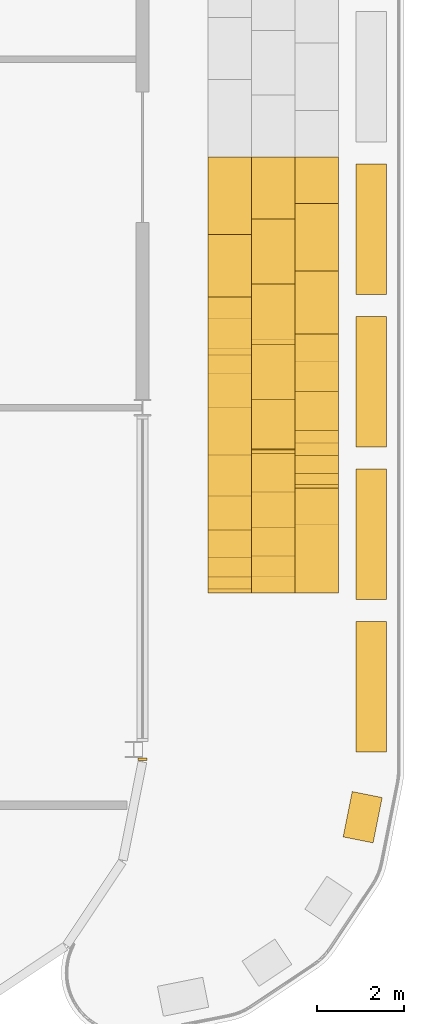
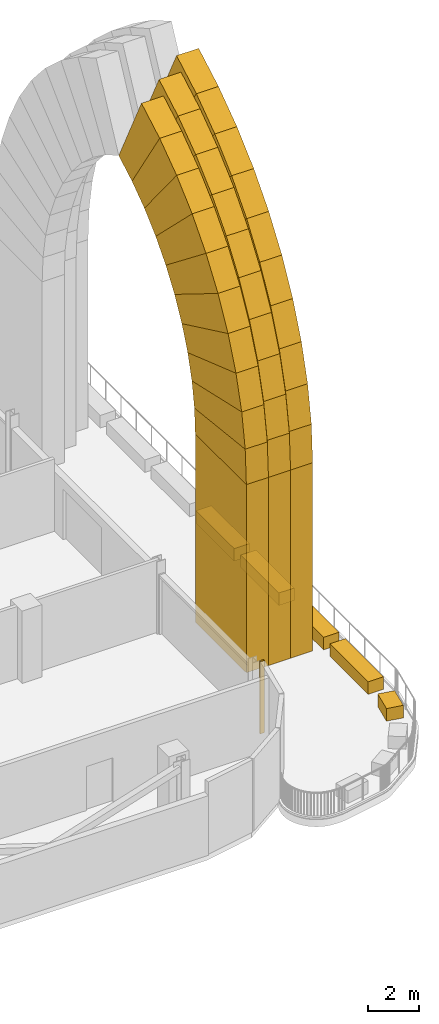
# One storey, part 28 of 30: 39 coverings.
"""IFC4 building model written with IfcOpenShell, lengths in metres."""

from ifc_helpers import new_model, si_unit, direction, frame, origin, origin_2d, place, context, subcontext, project, spatial, polyline, rectangle, outline, extrude, material, layer, layer_set, type_object, element, save


model = new_model("IFC4")

# Units and contexts
model_context = context("Model", 3, precision=1e-05, world=origin(), true_north=direction((0.0, 1.0)))
body_context = subcontext(model_context, "Body", "Model", "MODEL_VIEW")
ifc_project = project(units=[si_unit("LENGTHUNIT", "METRE"), si_unit("AREAUNIT", "SQUARE_METRE"), si_unit("VOLUMEUNIT", "CUBIC_METRE"), si_unit("PLANEANGLEUNIT", "RADIAN"), si_unit("MASSUNIT", "GRAM", prefix="KILO")], contexts=[model_context])

# Site, building, storey
site_placement = place(None, origin())
site = spatial("IfcSite", under=ifc_project, at=site_placement, CompositionType="ELEMENT")
building_placement = place(site_placement, origin())
building = spatial("IfcBuilding", under=site, at=building_placement, Name="Mahtab Terrace Research Tower", CompositionType="ELEMENT")
storey_placement = place(building_placement, frame((0.0, 0.0, 263.300048828125)))
storey = spatial("IfcBuildingStorey", under=building, at=storey_placement, Name="L64", CompositionType="ELEMENT", Elevation=263.300048828125)

# Coverings
ifc_material_1 = material(Name="Black aluminium cladding panel", Category="aluminium")
ifc_layer_1 = layer(ifc_material_1, 0.199951171875)
ifc_layer_set_1 = layer_set([ifc_layer_1], Name="Black metal corner cladding 200")
covering_type_1 = type_object("IfcCoveringType", Name="Black metal corner cladding 200", PredefinedType="CLADDING", material=ifc_layer_set_1)
covering_1_placement = place(storey_placement, frame((48.0, -8.069091796875, 0.0), z_axis=(0.0, 0.0, 1.0), x_axis=(0.0, 1.0, 0.0)))
element("IfcCovering", 1, at=covering_1_placement, inside=storey, type_object=covering_type_1, Name="Corner cladding L64 21", PredefinedType="CLADDING", context=body_context, shape_type="SweptSolid", body=[
    extrude(rectangle(XDim=0.06591796875, YDim=0.199951171875, at=origin_2d()), origin(), (0.0, 0.0, 1.0), 3.4599609375),
])
ifc_material_2 = material(Name="Glazed ceramic tile cladding", Category="masonry")
ifc_layer_2 = layer(ifc_material_2, 1.0)
ifc_layer_set_2 = layer_set([ifc_layer_2], Name="Iwan portal cladding arch course 800")
covering_type_2 = type_object("IfcCoveringType", Name="Iwan portal cladding arch course 800", PredefinedType="CLADDING", material=ifc_layer_set_2)
covering_2_placement = place(storey_placement, frame((49.5, -4.25, 9.030029296875), z_axis=(-1.0, 0.0, 0.0), x_axis=(0.0, 0.055445321339, 0.998461725026)))
element("IfcCovering", 2, at=covering_2_placement, inside=storey, type_object=covering_type_2, Name="Iwan portal arch course 7.1.1W1", PredefinedType="CLADDING", context=body_context, shape_type="SweptSolid", body=[
    extrude(outline(polyline([(0.0, 0.0), (1.6424190702778676, 0.0), (1.4206162644977813, 3.9932942280407824), (0.2217812853563459, 3.993846900103419), (0.0, 0.0)])), origin(), (0.0, 0.0, -1.0), 1.0),
])
covering_3_placement = place(storey_placement, frame((49.5, -4.158935546875, 10.669921875), z_axis=(-1.0, 0.0, 0.0), x_axis=(0.0, 0.165652764477, 0.986184141842)))
element("IfcCovering", 3, at=covering_3_placement, inside=storey, type_object=covering_type_2, Name="Iwan portal arch course 7.1.1W2", PredefinedType="CLADDING", context=body_context, shape_type="SweptSolid", body=[
    extrude(outline(polyline([(0.0, 0.0), (1.6418238301575085, 0.0), (1.419246660715294, 3.9939052201954057), (0.22169302371829686, 3.99330032424189), (0.0, 0.0)])), origin(), (0.0, 0.0, -1.0), 1.0),
])
covering_4_placement = place(storey_placement, frame((49.5, -3.886962890625, 12.2890625), z_axis=(-1.0, 0.0, 0.0), x_axis=(0.0, 0.273916212274, 0.96175355921)))
element("IfcCovering", 4, at=covering_4_placement, inside=storey, type_object=covering_type_2, Name="Iwan portal arch course 7.1.1W3", PredefinedType="CLADDING", context=body_context, shape_type="SweptSolid", body=[
    extrude(outline(polyline([(0.0, 0.0), (1.6426598781421167, 0.0), (1.4204983944499325, 3.9946402638281038), (0.22137702865523756, 3.993971922215377), (0.0, 0.0)])), origin(), (0.0, 0.0, -1.0), 1.0),
])
covering_5_placement = place(storey_placement, frame((49.5, -3.43701171875, 13.868896484375), z_axis=(-1.0, 0.0, 0.0), x_axis=(0.0, 0.379269308261, 0.925286329636)))
element("IfcCovering", 5, at=covering_5_placement, inside=storey, type_object=covering_type_2, Name="Iwan portal arch course 7.1.1W4", PredefinedType="CLADDING", context=body_context, shape_type="SweptSolid", body=[
    extrude(outline(polyline([(0.0, 0.0), (1.6427558503407425, 0.0), (1.422137776305045, 3.9941519644603893), (0.2238732688411582, 3.994544695172573), (0.0, 0.0)])), origin(), (0.0, 0.0, -1.0), 1.0),
])
covering_6_placement = place(storey_placement, frame((49.5, -2.81396484375, 15.388916015625), z_axis=(-1.0, 0.0, 0.0), x_axis=(0.0, 0.478820864805, 0.877912626306)))
element("IfcCovering", 6, at=covering_6_placement, inside=storey, type_object=covering_type_2, Name="Iwan portal arch course 7.1.1W5", PredefinedType="CLADDING", context=body_context, shape_type="SweptSolid", body=[
    extrude(outline(polyline([(0.0, 0.0), (1.6412999717443724, 0.0), (1.4188001105659165, 3.9943428938694208), (0.22040329418192073, 3.994163822091899), (0.0, 0.0)])), origin(), (0.0, 0.0, -1.0), 1.0),
])
covering_7_placement = place(storey_placement, frame((49.5, -2.028076171875, 16.829833984375), z_axis=(-1.0, 0.0, 0.0), x_axis=(0.0, 0.57338256543, 0.819287759985)))
element("IfcCovering", 7, at=covering_7_placement, inside=storey, type_object=covering_type_2, Name="Iwan portal arch course 7.1.1W6", PredefinedType="CLADDING", context=body_context, shape_type="SweptSolid", body=[
    extrude(outline(polyline([(0.0, 0.0), (1.6431240304078512, 0.0), (1.421006440140264, 3.994174018962017), (0.22259972388565274, 3.994337329890354), (0.0, 0.0)])), origin(), (0.0, 0.0, -1.0), 1.0),
])
covering_8_placement = place(storey_placement, frame((49.5, -1.0859375, 18.176025390625), z_axis=(-1.0, 0.0, 0.0), x_axis=(0.0, 0.660627894892, 0.750713516923)))
element("IfcCovering", 8, at=covering_8_placement, inside=storey, type_object=covering_type_2, Name="Iwan portal arch course 7.1.1W7", PredefinedType="CLADDING", context=body_context, shape_type="SweptSolid", body=[
    extrude(outline(polyline([(0.0, 0.0), (1.642317779628924, -1.1102230246251565e-16), (1.4207619867097583, 3.9940891574966066), (0.22179772207989323, 3.9941917941102485), (0.0, 0.0)])), origin(), (0.0, 0.0, -1.0), 1.0),
])
covering_9_placement = place(storey_placement, frame((49.5, -0.0009765625, 19.408935546875), z_axis=(-1.0, 0.0, 0.0), x_axis=(0.0, 0.739832443814, 0.672791167511)))
element("IfcCovering", 9, at=covering_9_placement, inside=storey, type_object=covering_type_2, Name="Iwan portal arch course 7.1.1W8", PredefinedType="CLADDING", context=body_context, shape_type="SweptSolid", body=[
    extrude(outline(polyline([(0.0, 0.0), (1.6423825432165557, 0.0), (1.4205958172984652, 3.993860746021702), (0.22290646608915798, 3.9940140053314326), (0.0, 0.0)])), origin(), (0.0, 0.0, -1.0), 1.0),
])
covering_10_placement = place(storey_placement, frame((49.5, 1.214111328125, 20.513916015625), z_axis=(-1.0, 0.0, 0.0), x_axis=(0.0, 0.809615740887, 0.586960264506)))
element("IfcCovering", 10, at=covering_10_placement, inside=storey, type_object=covering_type_2, Name="Iwan portal arch course 7.1.1W9", PredefinedType="CLADDING", context=body_context, shape_type="SweptSolid", body=[
    extrude(outline(polyline([(0.0, 0.0), (1.6425495666851702, 0.0), (1.4194930729205357, 3.9945677590866824), (0.22069244711913805, 3.9939213630454797), (0.0, 0.0)])), origin(), (0.0, 0.0, -1.0), 1.0),
])
covering_11_placement = place(storey_placement, frame((49.5, 2.5439453125, 21.47802734375), z_axis=(-1.0, 0.0, 0.0), x_axis=(0.0, 0.8698584092, 0.493301477743)))
element("IfcCovering", 11, at=covering_11_placement, inside=storey, type_object=covering_type_2, Name="Iwan portal arch course 7.1.1W10", PredefinedType="CLADDING", context=body_context, shape_type="SweptSolid", body=[
    extrude(outline(polyline([(0.0, 0.0), (1.641621786398049, -1.1102230246251565e-16), (1.4207932480320598, 3.9938370790592885), (0.22247330845292224, 3.994600281426338), (0.0, 0.0)])), origin(), (0.0, 0.0, -1.0), 1.0),
])
covering_12_placement = place(storey_placement, frame((50.5, -4.25, 9.030029296875), z_axis=(-1.0, 0.0, 0.0), x_axis=(0.0, 0.055422674108, 0.998462982386)))
element("IfcCovering", 12, at=covering_12_placement, inside=storey, type_object=covering_type_2, Name="Iwan portal arch course 7.1.2W1", PredefinedType="CLADDING", context=body_context, shape_type="SweptSolid", body=[
    extrude(outline(polyline([(0.0, 0.0), (1.7135712892547854, 0.0), (1.5353767467416721, 3.194717996515579), (0.17734985095997974, 3.1950327905592237), (0.0, 0.0)])), origin(), (0.0, 0.0, -1.0), 1.0),
])
covering_13_placement = place(storey_placement, frame((50.5, -4.155029296875, 10.740966796875), z_axis=(-1.0, 0.0, 0.0), x_axis=(0.0, 0.165785799005, 0.986161786345)))
element("IfcCovering", 13, at=covering_13_placement, inside=storey, type_object=covering_type_2, Name="Iwan portal arch course 7.1.2W2", PredefinedType="CLADDING", context=body_context, shape_type="SweptSolid", body=[
    extrude(outline(polyline([(0.0, 0.0), (1.7126650688919498, 0.0), (1.5359019355573533, 3.195596476591268), (0.17711933464351381, 3.1947777878183348), (0.0, 0.0)])), origin(), (0.0, 0.0, -1.0), 1.0),
])
covering_14_placement = place(storey_placement, frame((50.5, -3.87109375, 12.429931640625), z_axis=(-1.0, 0.0, 0.0), x_axis=(0.0, 0.274382426851, 0.961620654851)))
element("IfcCovering", 14, at=covering_14_placement, inside=storey, type_object=covering_type_2, Name="Iwan portal arch course 7.1.2W3", PredefinedType="CLADDING", context=body_context, shape_type="SweptSolid", body=[
    extrude(outline(polyline([(0.0, 0.0), (1.713720696864449, 5.551115123125783e-17), (1.5376752509642477, 3.1948456415062), (0.17956262352972663, 3.1954403938643434), (0.0, 0.0)])), origin(), (0.0, 0.0, -1.0), 1.0),
])
covering_15_placement = place(storey_placement, frame((50.5, -3.40087890625, 14.077880859375), z_axis=(-1.0, 0.0, 0.0), x_axis=(0.0, 0.3786494866, 0.925540148398)))
element("IfcCovering", 15, at=covering_15_placement, inside=storey, type_object=covering_type_2, Name="Iwan portal arch course 7.1.2W4", PredefinedType="CLADDING", context=body_context, shape_type="SweptSolid", body=[
    extrude(outline(polyline([(0.0, 0.0), (1.7137902049628886, 0.0), (1.5350590670632425, 3.194450801887505), (0.17698694953468197, 3.1947936227192786), (0.0, 0.0)])), origin(), (0.0, 0.0, -1.0), 1.0),
])
covering_16_placement = place(storey_placement, frame((50.5, -2.751953125, 15.6640625), z_axis=(-1.0, 0.0, 0.0), x_axis=(0.0, 0.479181539888, 0.87771581496)))
element("IfcCovering", 16, at=covering_16_placement, inside=storey, type_object=covering_type_2, Name="Iwan portal arch course 7.1.2W5", PredefinedType="CLADDING", context=body_context, shape_type="SweptSolid", body=[
    extrude(outline(polyline([(0.0, 0.0), (1.7134318698231883, 1.1102230246251565e-16), (1.5356068035048103, 3.1948890312093434), (0.17745597940444569, 3.1945218923507532), (0.0, 0.0)])), origin(), (0.0, 0.0, -1.0), 1.0),
])
covering_17_placement = place(storey_placement, frame((50.5, -1.930908203125, 17.16796875), z_axis=(-1.0, 0.0, 0.0), x_axis=(0.0, 0.573376231142, 0.819292193031)))
element("IfcCovering", 17, at=covering_17_placement, inside=storey, type_object=covering_type_2, Name="Iwan portal arch course 7.1.2W6", PredefinedType="CLADDING", context=body_context, shape_type="SweptSolid", body=[
    extrude(outline(polyline([(0.0, 0.0), (1.7125467370609757, 0.0), (1.53530403265396, 3.1948258713308464), (0.17685108212395706, 3.19494309350018), (0.0, 0.0)])), origin(), (0.0, 0.0, -1.0), 1.0),
])
covering_18_placement = place(storey_placement, frame((50.5, -0.948974609375, 18.571044921875), z_axis=(-1.0, 0.0, 0.0), x_axis=(0.0, 0.660509076924, 0.750818060053)))
element("IfcCovering", 18, at=covering_18_placement, inside=storey, type_object=covering_type_2, Name="Iwan portal arch course 7.1.2W7", PredefinedType="CLADDING", context=body_context, shape_type="SweptSolid", body=[
    extrude(outline(polyline([(0.0, 0.0), (1.7139508262288419, 0.0), (1.5350846747426774, 3.195379418307231), (0.17734897153104412, 3.1948199740654077), (0.0, 0.0)])), origin(), (0.0, 0.0, -1.0), 1.0),
])
covering_19_placement = place(storey_placement, frame((50.5, 0.18310546875, 19.85791015625), z_axis=(-1.0, 0.0, 0.0), x_axis=(0.0, 0.739817486013, 0.672807615436)))
element("IfcCovering", 19, at=covering_19_placement, inside=storey, type_object=covering_type_2, Name="Iwan portal arch course 7.1.2W8", PredefinedType="CLADDING", context=body_context, shape_type="SweptSolid", body=[
    extrude(outline(polyline([(0.0, 0.0), (1.712375994181273, 0.0), (1.535414166234869, 3.195508454565166), (0.1771603388402201, 3.195474447000155), (0.0, 0.0)])), origin(), (0.0, 0.0, -1.0), 1.0),
])
covering_20_placement = place(storey_placement, frame((50.5, 1.449951171875, 21.010009765625), z_axis=(-1.0, 0.0, 0.0), x_axis=(0.0, 0.809720417913, 0.586815852559)))
element("IfcCovering", 20, at=covering_20_placement, inside=storey, type_object=covering_type_2, Name="Iwan portal arch course 7.1.2W9", PredefinedType="CLADDING", context=body_context, shape_type="SweptSolid", body=[
    extrude(outline(polyline([(0.0, 0.0), (1.7140971407176187, -1.1102230246251565e-16), (1.5362396927436595, 3.195578256446746), (0.17770601068267022, 3.1954671560688652), (0.0, 0.0)])), origin(), (0.0, 0.0, -1.0), 1.0),
])
covering_21_placement = place(storey_placement, frame((50.5, 2.837890625, 22.015869140625), z_axis=(-1.0, 0.0, 0.0), x_axis=(0.0, 0.869861148787, 0.493296646887)))
element("IfcCovering", 21, at=covering_21_placement, inside=storey, type_object=covering_type_2, Name="Iwan portal arch course 7.1.2W10", PredefinedType="CLADDING", context=body_context, shape_type="SweptSolid", body=[
    extrude(outline(polyline([(0.0, 0.0), (1.7129058315250214, 0.0), (1.5361802099128599, 3.1945197738608115), (0.1780020941093967, 3.1955702025409645), (0.0, 0.0)])), origin(), (0.0, 0.0, -1.0), 1.0),
])
covering_22_placement = place(storey_placement, frame((51.5, -4.25, 9.030029296875), z_axis=(-1.0, 0.0, 0.0), x_axis=(0.0, 0.055538205847, 0.998456562746)))
element("IfcCovering", 22, at=covering_22_placement, inside=storey, type_object=covering_type_2, Name="Iwan portal arch course 7.1.3W1", PredefinedType="CLADDING", context=body_context, shape_type="SweptSolid", body=[
    extrude(outline(polyline([(0.0, 0.0), (1.784737051528232, 0.0), (1.6514801036075688, 2.3958643430858415), (0.13328627037915539, 2.3961982450676236), (0.0, 0.0)])), origin(), (0.0, 0.0, -1.0), 1.0),
])
covering_23_placement = place(storey_placement, frame((51.5, -4.15087890625, 10.81201171875), z_axis=(-1.0, 0.0, 0.0), x_axis=(0.0, 0.165885869421, 0.98614495807)))
element("IfcCovering", 23, at=covering_23_placement, inside=storey, type_object=covering_type_2, Name="Iwan portal arch course 7.1.3W2", PredefinedType="CLADDING", context=body_context, shape_type="SweptSolid", body=[
    extrude(outline(polyline([(0.0, 0.0), (1.7837470939040487, -5.551115123125783e-17), (1.6513369517107102, 2.3962292818576336), (0.13317264848908988, 2.3958690302964567), (0.0, 0.0)])), origin(), (0.0, 0.0, -1.0), 1.0),
])
covering_24_placement = place(storey_placement, frame((51.5, -3.85498046875, 12.571044921875), z_axis=(-1.0, 0.0, 0.0), x_axis=(0.0, 0.274088510821, 0.961704470321)))
element("IfcCovering", 24, at=covering_24_placement, inside=storey, type_object=covering_type_2, Name="Iwan portal arch course 7.1.3W3", PredefinedType="CLADDING", context=body_context, shape_type="SweptSolid", body=[
    extrude(outline(polyline([(0.0, 0.0), (1.784145093894627, 0.0), (1.651881717754542, 2.3960773284988157), (0.1338056545318329, 2.396151761429755), (0.0, 0.0)])), origin(), (0.0, 0.0, -1.0), 1.0),
])
covering_25_placement = place(storey_placement, frame((51.5, -3.365966796875, 14.286865234375), z_axis=(-1.0, 0.0, 0.0), x_axis=(0.0, 0.378712726955, 0.925514273495)))
element("IfcCovering", 25, at=covering_25_placement, inside=storey, type_object=covering_type_2, Name="Iwan portal arch course 7.1.3W4", PredefinedType="CLADDING", context=body_context, shape_type="SweptSolid", body=[
    extrude(outline(polyline([(0.0, 0.0), (1.7850611888858914, 0.0), (1.6515180705967392, 2.396037240593148), (0.13340207549403738, 2.3960142009320142), (0.0, 0.0)])), origin(), (0.0, 0.0, -1.0), 1.0),
])
covering_26_placement = place(storey_placement, frame((51.5, -2.68994140625, 15.93896484375), z_axis=(-1.0, 0.0, 0.0), x_axis=(0.0, 0.479216417131, 0.877696773124)))
element("IfcCovering", 26, at=covering_26_placement, inside=storey, type_object=covering_type_2, Name="Iwan portal arch course 7.1.3W5", PredefinedType="CLADDING", context=body_context, shape_type="SweptSolid", body=[
    extrude(outline(polyline([(0.0, 0.0), (1.7841218250999835, 1.1102230246251565e-16), (1.6510819164880242, 2.3958358657926637), (0.13354771619989414, 2.396036984324201), (0.0, 0.0)])), origin(), (0.0, 0.0, -1.0), 1.0),
])
covering_27_placement = place(storey_placement, frame((51.5, -1.8349609375, 17.5048828125), z_axis=(-1.0, 0.0, 0.0), x_axis=(0.0, 0.573251135737, 0.819379725998)))
element("IfcCovering", 27, at=covering_27_placement, inside=storey, type_object=covering_type_2, Name="Iwan portal arch course 7.1.3W6", PredefinedType="CLADDING", context=body_context, shape_type="SweptSolid", body=[
    extrude(outline(polyline([(0.0, 0.0), (1.7844695892917213, 0.0), (1.6509066480507963, 2.3963590214451806), (0.1324675598836329, 2.395867579537825), (0.0, 0.0)])), origin(), (0.0, 0.0, -1.0), 1.0),
])
covering_28_placement = place(storey_placement, frame((51.5, -0.81201171875, 18.967041015625), z_axis=(-1.0, 0.0, 0.0), x_axis=(0.0, 0.660865411801, 0.750504435353)))
element("IfcCovering", 28, at=covering_28_placement, inside=storey, type_object=covering_type_2, Name="Iwan portal arch course 7.1.3W7", PredefinedType="CLADDING", context=body_context, shape_type="SweptSolid", body=[
    extrude(outline(polyline([(0.0, 0.0), (1.7839563957678128, 0.0), (1.6516609204301642, 2.396211026977815), (0.1339146296495548, 2.396339393929928), (0.0, 0.0)])), origin(), (0.0, 0.0, -1.0), 1.0),
])
covering_29_placement = place(storey_placement, frame((51.5, 0.366943359375, 20.305908203125), z_axis=(-1.0, 0.0, 0.0), x_axis=(0.0, 0.739698607121, 0.672938311157)))
element("IfcCovering", 29, at=covering_29_placement, inside=storey, type_object=covering_type_2, Name="Iwan portal arch course 7.1.3W8", PredefinedType="CLADDING", context=body_context, shape_type="SweptSolid", body=[
    extrude(outline(polyline([(0.0, 0.0), (1.7846030081264783, -1.1102230246251565e-16), (1.6508346261543967, 2.395297922887341), (0.1331162255604963, 2.39616557213758), (0.0, 0.0)])), origin(), (0.0, 0.0, -1.0), 1.0),
])
covering_30_placement = place(storey_placement, frame((51.5, 1.68701171875, 21.5068359375), z_axis=(-1.0, 0.0, 0.0), x_axis=(0.0, 0.80956979059, 0.587023640209)))
element("IfcCovering", 30, at=covering_30_placement, inside=storey, type_object=covering_type_2, Name="Iwan portal arch course 7.1.3W9", PredefinedType="CLADDING", context=body_context, shape_type="SweptSolid", body=[
    extrude(outline(polyline([(0.0, 0.0), (1.7837767832508935, 0.0), (1.6506161084377848, 2.3962084118475846), (0.13189983204262967, 2.3954015433139735), (0.0, 0.0)])), origin(), (0.0, 0.0, -1.0), 1.0),
])
covering_31_placement = place(storey_placement, frame((51.5, 3.131103515625, 22.553955078125), z_axis=(-1.0, 0.0, 0.0), x_axis=(0.0, 0.869628771426, 0.493706187836)))
element("IfcCovering", 31, at=covering_31_placement, inside=storey, type_object=covering_type_2, Name="Iwan portal arch course 7.1.3W10", PredefinedType="CLADDING", context=body_context, shape_type="SweptSolid", body=[
    extrude(outline(polyline([(0.0, 0.0), (1.7846718095354535, -1.1102230246251565e-16), (1.650933365896736, 2.396561677440083), (0.13316643440676035, 2.3962080917719137), (0.0, 0.0)])), origin(), (0.0, 0.0, -1.0), 1.0),
])
ifc_layer_3 = layer(ifc_material_2, 1.0)
ifc_layer_set_3 = layer_set([ifc_layer_3], Name="Iwan portal cladding pilaster 900")
covering_type_3 = type_object("IfcCoveringType", Name="Iwan portal cladding pilaster 900", PredefinedType="CLADDING", material=ifc_layer_set_3)
covering_32_placement = place(storey_placement, frame((50.0, -2.25, 0.030029296875), z_axis=(0.0, 0.0, 1.0), x_axis=(0.0, 1.0, 0.0)))
element("IfcCovering", 32, at=covering_32_placement, inside=storey, type_object=covering_type_3, Name="Iwan portal pilaster 7.1.1W", PredefinedType="CLADDING", context=body_context, shape_type="SweptSolid", body=[
    extrude(rectangle(XDim=4.0, YDim=1.0, at=origin_2d()), origin(), (0.0, 0.0, 1.0), 9.0),
])
covering_33_placement = place(storey_placement, frame((51.0, -2.64990234375, 0.030029296875), z_axis=(0.0, 0.0, 1.0), x_axis=(0.0, 1.0, 0.0)))
element("IfcCovering", 33, at=covering_33_placement, inside=storey, type_object=covering_type_3, Name="Iwan portal pilaster 7.1.2W", PredefinedType="CLADDING", context=body_context, shape_type="SweptSolid", body=[
    extrude(rectangle(XDim=3.199951171875, YDim=1.0, at=origin_2d()), origin(), (0.0, 0.0, 1.0), 9.0),
])
covering_34_placement = place(storey_placement, frame((52.0, -3.050048828125, 0.030029296875), z_axis=(0.0, 0.0, 1.0), x_axis=(0.0, 1.0, 0.0)))
element("IfcCovering", 34, at=covering_34_placement, inside=storey, type_object=covering_type_3, Name="Iwan portal pilaster 7.1.3W", PredefinedType="CLADDING", context=body_context, shape_type="SweptSolid", body=[
    extrude(rectangle(XDim=2.39990234375, YDim=1.0, at=origin_2d()), origin(), (0.0, 0.0, 1.0), 9.0),
])
ifc_material_3 = material(Name="Planting soil and shrubs")
ifc_layer_4 = layer(ifc_material_3, 0.1201171875)
ifc_layer_set_4 = layer_set([ifc_layer_4], Name="Planter")
covering_type_4 = type_object("IfcCoveringType", Name="Planter", PredefinedType="USERDEFINED", material=ifc_layer_set_4)
covering_35_placement = place(storey_placement, frame((53.05029296875, -9.401123046875, 0.02978515625), z_axis=(0.0, 0.0, 1.0), x_axis=(0.195303993071, 0.980742754391, 0.0)))
element("IfcCovering", 35, at=covering_35_placement, inside=storey, type_object=covering_type_4, Name="PLANTER terrace 7", ObjectType="PLANTER", PredefinedType="USERDEFINED", context=body_context, shape_type="SweptSolid", body=[
    extrude(rectangle(XDim=1.060546875, YDim=0.699951171875, at=origin_2d()), origin(), (0.0, 0.0, 1.0), 0.60009765625),
])
for number, where, z_axis, x_axis, name in (
    (36, (53.25, -6.4072265625, 0.02978515625), (0.0, 0.0, 1.0), (0.0, 1.0, 0.0), "PLANTER terrace 7"),
    (37, (53.25, -2.9072265625, 0.02978515625), (0.0, 0.0, 1.0), (0.0, 1.0, 0.0), "PLANTER terrace 7"),
    (38, (53.25, 0.5927734375, 0.02978515625), (0.0, 0.0, 1.0), (0.0, 1.0, 0.0), "PLANTER terrace 7"),
    (39, (53.25, 4.0927734375, 0.02978515625), (0.0, 0.0, 1.0), (0.0, 1.0, 0.0), "PLANTER terrace 7"),
):
    element("IfcCovering", number, at=place(storey_placement, frame(where, z_axis=z_axis, x_axis=x_axis)), inside=storey, type_object=covering_type_4, Name=name, ObjectType="PLANTER", PredefinedType="USERDEFINED", context=body_context, shape_type="SweptSolid", body=[
        extrude(rectangle(XDim=3.0, YDim=0.699951171875, at=origin_2d()), origin(), (0.0, 0.0, 1.0), 0.60009765625),
    ])

save(model, "model.ifc")
